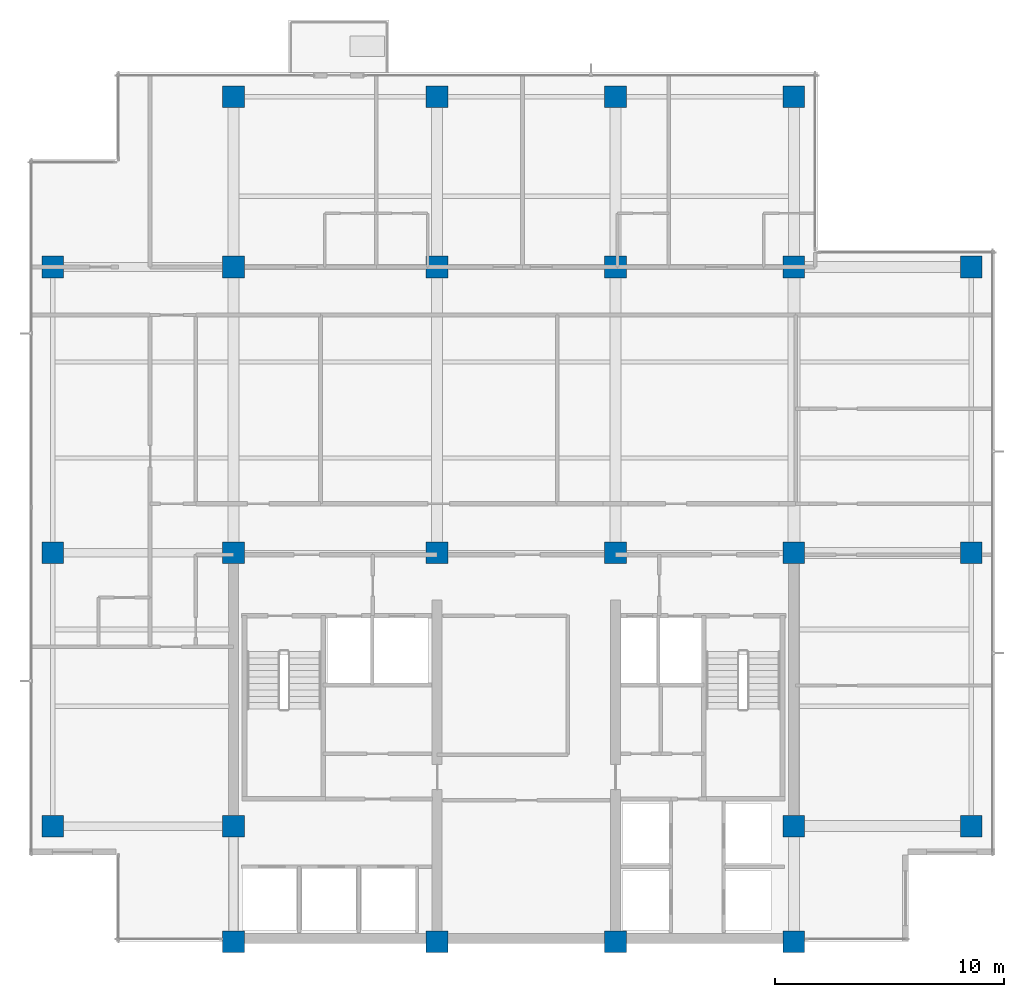
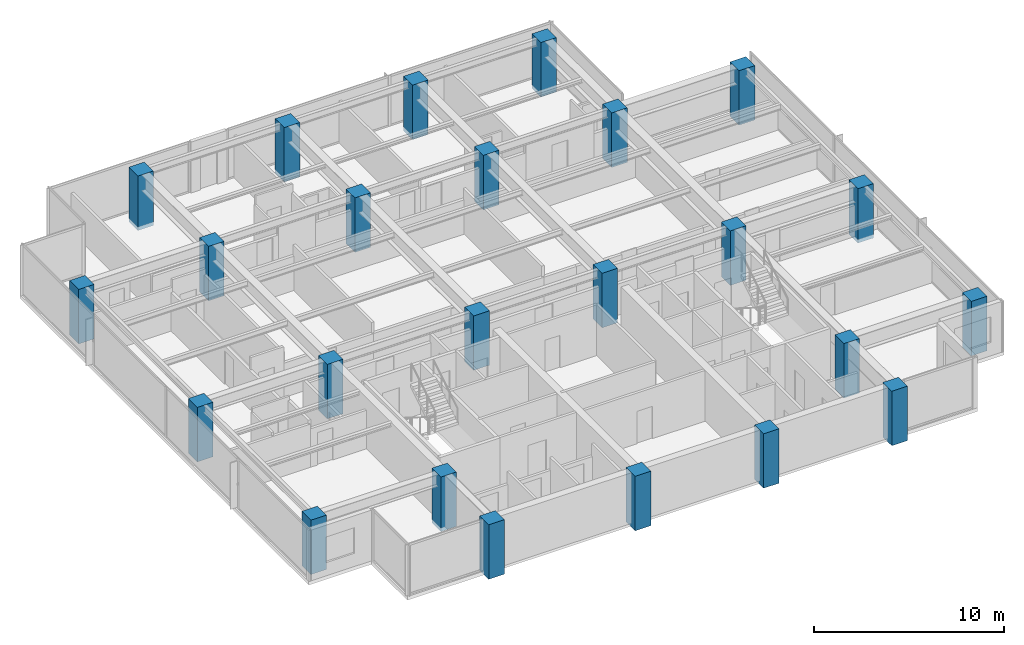
# One storey, part 1 of 14: 24 columns.
"""IFC4 building model written with IfcOpenShell, lengths in metres."""

from ifc_helpers import new_model, si_unit, direction, frame, origin, origin_2d, place, context, subcontext, project, spatial, rectangle, extrude, material, material_profile, profile_set, type_object, element, save


model = new_model("IFC4")

# Units and contexts
model_context = context("Model", 3, precision=1e-05, world=origin(), true_north=direction((0.0, 1.0)))
body_context = subcontext(model_context, "Body", "Model", "MODEL_VIEW")
ifc_project = project(units=[si_unit("LENGTHUNIT", "METRE"), si_unit("AREAUNIT", "SQUARE_METRE"), si_unit("VOLUMEUNIT", "CUBIC_METRE"), si_unit("PLANEANGLEUNIT", "RADIAN"), si_unit("MASSUNIT", "GRAM", prefix="KILO")], contexts=[model_context])

# Site, building, storey
site_placement = place(None, origin())
site = spatial("IfcSite", under=ifc_project, at=site_placement, CompositionType="ELEMENT")
building_placement = place(site_placement, origin())
building = spatial("IfcBuilding", under=site, at=building_placement, Name="Qalmaran Belvedere Hotel", CompositionType="ELEMENT")
storey_placement = place(building_placement, frame((0.0, 0.0, 235.39990234375)))
storey = spatial("IfcBuildingStorey", under=building, at=storey_placement, Name="L60", CompositionType="ELEMENT", Elevation=235.39990234375)

# Columns
ifc_material = material(Name="Concrete C50/60", Category="concrete")
ifc_material_profile = material_profile(ifc_material, rectangle(XDim=0.949951171875, YDim=0.949951171875, at=origin_2d()), Name="CC950X950")
ifc_profile_set = profile_set([ifc_material_profile], Name="Concrete C50/60")
column_type = type_object("IfcColumnType", Name="COL-Z4-CC950", PredefinedType="COLUMN", material=ifc_profile_set)
for number, where, z_axis, x_axis, name in (
    (1, (20.300048828125, 3.5, -0.239990234375), (0.0, 0.0, 1.0), (1.0, 0.0, 0.0), "L60 Column C4B"),
    (2, (29.199951171875, 3.5, -0.239990234375), (0.0, 0.0, 1.0), (1.0, 0.0, 0.0), "L60 Column C5B"),
    (3, (37.0, 3.5, -0.239990234375), (0.0, 0.0, 1.0), (1.0, 0.0, 0.0), "L60 Column C6B"),
    (4, (44.800048828125, 3.5, -0.239990234375), (0.0, 0.0, 1.0), (1.0, 0.0, 0.0), "L60 Column C7B"),
    (5, (20.300048828125, 8.550048828125, -0.239990234375), (0.0, 0.0, 1.0), (1.0, 0.0, 0.0), "L60 Column C4C"),
    (6, (44.800048828125, 8.550048828125, -0.239990234375), (0.0, 0.0, 1.0), (1.0, 0.0, 0.0), "L60 Column C7C"),
    (7, (20.300048828125, 20.5, -0.239990234375), (0.0, 0.0, 1.0), (1.0, 0.0, 0.0), "L60 Column C4D"),
    (8, (29.199951171875, 20.5, -0.239990234375), (0.0, 0.0, 1.0), (1.0, 0.0, 0.0), "L60 Column C5D"),
    (9, (37.0, 20.5, -0.239990234375), (0.0, 0.0, 1.0), (1.0, 0.0, 0.0), "L60 Column C6D"),
    (10, (44.800048828125, 20.5, -0.239990234375), (0.0, 0.0, 1.0), (1.0, 0.0, 0.0), "L60 Column C7D"),
    (11, (20.300048828125, 33.0, -0.239990234375), (0.0, 0.0, 1.0), (1.0, 0.0, 0.0), "L60 Column C4F"),
    (12, (29.199951171875, 33.0, -0.239990234375), (0.0, 0.0, 1.0), (1.0, 0.0, 0.0), "L60 Column C5F"),
    (13, (37.0, 33.0, -0.239990234375), (0.0, 0.0, 1.0), (1.0, 0.0, 0.0), "L60 Column C6F"),
    (14, (44.800048828125, 33.0, -0.239990234375), (0.0, 0.0, 1.0), (1.0, 0.0, 0.0), "L60 Column C7F"),
    (15, (12.39990234375, 8.550048828125, -0.239990234375), (0.0, 0.0, 1.0), (1.0, 0.0, 0.0), "L60 Column CW1"),
    (16, (12.39990234375, 20.5, -0.239990234375), (0.0, 0.0, 1.0), (1.0, 0.0, 0.0), "L60 Column CW3"),
    (17, (12.39990234375, 33.0, -0.239990234375), (0.0, 0.0, 1.0), (1.0, 0.0, 0.0), "L60 Column CW4"),
    (18, (52.550048828125, 8.550048828125, -0.239990234375), (0.0, 0.0, 1.0), (1.0, 0.0, 0.0), "L60 Column CE1"),
    (19, (52.550048828125, 20.5, -0.239990234375), (0.0, 0.0, 1.0), (1.0, 0.0, 0.0), "L60 Column CE3"),
    (20, (52.550048828125, 33.0, -0.239990234375), (0.0, 0.0, 1.0), (1.0, 0.0, 0.0), "L60 Column CE4"),
    (21, (20.300048828125, 40.449951171875, -0.239990234375), (0.0, 0.0, 1.0), (1.0, 0.0, 0.0), "L60 Column CN1"),
    (22, (29.199951171875, 40.449951171875, -0.239990234375), (0.0, 0.0, 1.0), (1.0, 0.0, 0.0), "L60 Column CN2"),
    (23, (37.0, 40.449951171875, -0.239990234375), (0.0, 0.0, 1.0), (1.0, 0.0, 0.0), "L60 Column CN3"),
    (24, (44.800048828125, 40.449951171875, -0.239990234375), (0.0, 0.0, 1.0), (1.0, 0.0, 0.0), "L60 Column CN4"),
):
    element("IfcColumn", number, at=place(storey_placement, frame(where, z_axis=z_axis, x_axis=x_axis)), inside=storey, type_object=column_type, Name=name, PredefinedType="COLUMN", context=body_context, shape_type="SweptSolid", body=[
        extrude(rectangle(XDim=0.949951171875, YDim=0.949951171875, at=origin_2d()), origin(), (0.0, 0.0, 1.0), 3.5),
    ])

save(model, "model.ifc")
